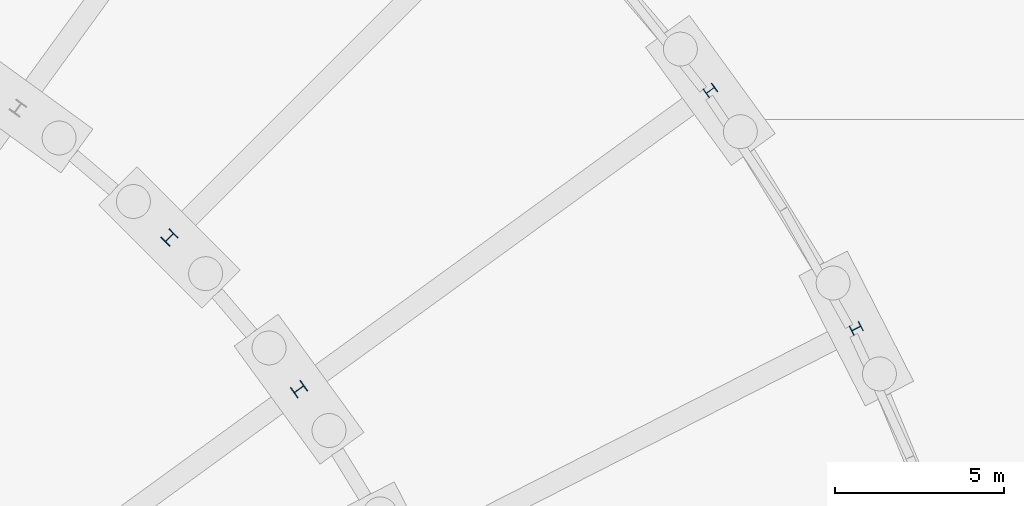
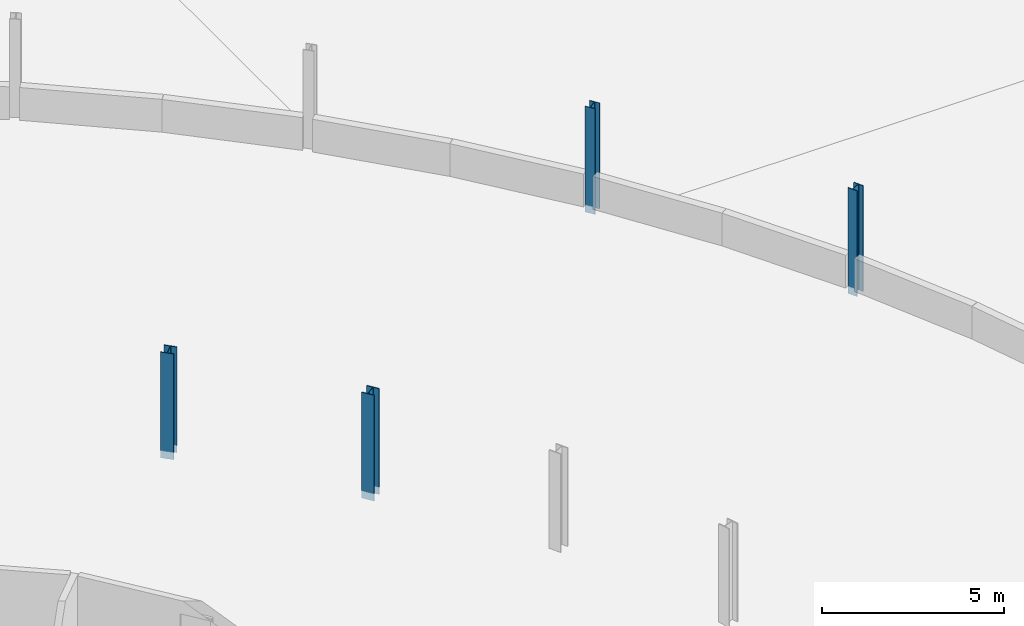
# One storey, part 36 of 130: 4 columns.
"""IFC4 building model written with IfcOpenShell, lengths in metres."""

import ifcopenshell
import ifcopenshell.guid

model = None  # the IFC model being written
_history = None  # IfcOwnerHistory: only IFC2X3 demands one
_inside = {}  # id of a spatial element -> (the spatial element, [elements in it])
_under = {}  # id of a project, library or spatial element -> (it, [spatial elements below it])
_declared = {}  # id of a project -> (the project, [libraries it declares])
_typed = {}  # id of a type object -> (the type object, [elements of that type])
_made_of = {}  # id of a material, layer set ... -> (it, [elements and type objects made of it])


def new_model(schema):
    """Start an empty IFC model of exactly this schema.

    Asked for "IFC4X3", IfcOpenShell would pick the latest addendum, in which some entities
    have other attributes; the version numbers below select the first issue.
    IFC2X3 requires an IfcOwnerHistory on every rooted entity: one is made here for all.
    """
    global model, _history
    if schema == "IFC4X3":
        model = ifcopenshell.file(schema_version=(4, 3, 0, 0))
    else:
        model = ifcopenshell.file(schema=schema)
    _inside.clear()
    _under.clear()
    _declared.clear()
    _typed.clear()
    _made_of.clear()
    _history = None
    if model.schema == "IFC2X3":
        org = make("IfcOrganization", Name="unknown")
        user = make(
            "IfcPersonAndOrganization",
            ThePerson=make("IfcPerson", FamilyName="unknown"),
            TheOrganization=org,
        )
        app = make(
            "IfcApplication",
            ApplicationDeveloper=org,
            Version="unknown",
            ApplicationFullName="unknown",
            ApplicationIdentifier="unknown",
        )
        _history = make(
            "IfcOwnerHistory",
            OwningUser=user,
            OwningApplication=app,
            ChangeAction="ADDED",
            CreationDate=0,
        )
    return model


def make(cls, **values):
    """One entity of the class cls with the attributes given. An attribute that is None is left unset."""
    return model.create_entity(
        cls, **{name: value for name, value in values.items() if value is not None}
    )


def rooted(cls, **values):
    """An entity with a GlobalId (a new one), such as an element, a storey or a relation."""
    return make(cls, GlobalId=ifcopenshell.guid.new(), OwnerHistory=_history, **values)


def si_unit(unit_type, name, prefix=None):
    """IfcSIUnit, for example si_unit("LENGTHUNIT", "METRE", prefix="MILLI")."""
    return make("IfcSIUnit", UnitType=unit_type, Prefix=prefix, Name=name)


def assignment(units):
    """IfcUnitAssignment: the units of a project."""
    return None if units is None else make("IfcUnitAssignment", Units=units)


def point(xyz):
    """IfcCartesianPoint."""
    return None if xyz is None else make("IfcCartesianPoint", Coordinates=xyz)


def direction(xyz):
    """IfcDirection."""
    return None if xyz is None else make("IfcDirection", DirectionRatios=xyz)


def frame(location, z_axis=None, x_axis=None):
    """IfcAxis2Placement3D, a coordinate frame: its origin and axes. An axis left out is left unset."""
    return make(
        "IfcAxis2Placement3D",
        Location=point(location),
        Axis=direction(z_axis),
        RefDirection=direction(x_axis),
    )


def frame_2d(location, x_axis=None):
    """IfcAxis2Placement2D, a coordinate frame in the plane: its origin and x axis."""
    return make(
        "IfcAxis2Placement2D", Location=point(location), RefDirection=direction(x_axis)
    )


def origin():
    """The frame at (0, 0, 0) with its axes left unset."""
    return frame((0.0, 0.0, 0.0))


def origin_2d():
    """The frame at (0, 0) in the plane with its x axis left unset."""
    return frame_2d((0.0, 0.0))


def place(relative_to, where):
    """IfcLocalPlacement: puts the frame where relative to a parent placement (None: the world)."""
    return make(
        "IfcLocalPlacement", PlacementRelTo=relative_to, RelativePlacement=where
    )


def context(
    kind, dimensions, precision=None, world=None, true_north=None, identifier=None
):
    """IfcGeometricRepresentationContext, for example the 3D "Model" context."""
    return make(
        "IfcGeometricRepresentationContext",
        ContextIdentifier=identifier,
        ContextType=kind,
        CoordinateSpaceDimension=dimensions,
        Precision=precision,
        WorldCoordinateSystem=world,
        TrueNorth=true_north,
    )


def subcontext(parent, identifier, kind, view, scale=None):
    """IfcGeometricRepresentationSubContext, for example "Body" below "Model"."""
    return make(
        "IfcGeometricRepresentationSubContext",
        ContextIdentifier=identifier,
        ContextType=kind,
        ParentContext=parent,
        TargetScale=scale,
        TargetView=view,
    )


def project(units=None, contexts=None):
    """IfcProject with its units and contexts."""
    return rooted(
        "IfcProject",
        Name="project",
        RepresentationContexts=contexts,
        UnitsInContext=assignment(units),
    )


def spatial(cls, under=None, at=None, **own):
    """A site, building, storey or space (cls), placed at a placement, below another one or the project."""
    s = rooted(cls, ObjectPlacement=at, **own)
    if under is not None:
        _under.setdefault(under.id(), (under, []))[1].append(s)
    return s


def profile(cls, at=None, kind="AREA", **sizes):
    """A parametric profile (cls). Its sizes go by their IFC names, for example OverallWidth=200.0."""
    return make(cls, ProfileType=kind, Position=at, **sizes)


def i_section(**sizes):
    """IfcIShapeProfileDef."""
    return profile("IfcIShapeProfileDef", **sizes)


def extrude(swept, where, along, depth):
    """IfcExtrudedAreaSolid: the profile swept, set in the frame where, extruded along a direction by depth."""
    return make(
        "IfcExtrudedAreaSolid",
        SweptArea=swept,
        Position=where,
        ExtrudedDirection=direction(along),
        Depth=depth,
    )


def shape(context_of_items, identifier, shape_type, items):
    """IfcShapeRepresentation: the items that make up one representation, for example the "Body"."""
    return make(
        "IfcShapeRepresentation",
        ContextOfItems=context_of_items,
        RepresentationIdentifier=identifier,
        RepresentationType=shape_type,
        Items=items,
    )


def material(Name=None, Category=None):
    """IfcMaterial."""
    return make("IfcMaterial", Name=Name, Category=Category)


def material_profile(
    of_material, cross_section, Name=None, Category=None, Priority=None
):
    """IfcMaterialProfile: a cross section and its material."""
    return make(
        "IfcMaterialProfile",
        Name=Name,
        Material=of_material,
        Profile=cross_section,
        Priority=Priority,
        Category=Category,
    )


def profile_set(profiles, Name=None, composite=None):
    """IfcMaterialProfileSet."""
    return make(
        "IfcMaterialProfileSet",
        Name=Name,
        MaterialProfiles=profiles,
        CompositeProfile=composite,
    )


def made_of(thing, what):
    """Note that an element or type object is made of a material, layer set ...; save() writes the relation."""
    if what is not None:
        _made_of.setdefault(what.id(), (what, []))[1].append(thing)
    return thing


def type_object(cls, material=None, **own):
    """A type object (cls), such as IfcWallType, which elements share."""
    return made_of(rooted(cls, **own), material)


def element(
    cls,
    number,
    at=None,
    inside=None,
    cuts=None,
    type_object=None,
    material=None,
    context=None,
    identifier="Body",
    shape_type=None,
    held_by="IfcProductDefinitionShape",
    body=None,
    shapes=None,
    **own,
):
    """One element of the class cls, such as IfcWall. Its Tag is "e" and its number.

    at: its placement. inside: the storey or other place that contains it. cuts: it is an
    opening in that element (IfcRelVoidsElement). A single representation is given by context,
    identifier, shape_type and body (its items); several are given by shapes. held_by: the class
    of the entity that holds the representations. save() writes the other relations.
    """
    e = rooted(cls, Tag="e%d" % number, ObjectPlacement=at, **own)
    if body is not None:
        shapes = [shape(context, identifier, shape_type, body)]
    if shapes is not None:
        e.Representation = make(held_by, Representations=shapes)
    if inside is not None:
        _inside.setdefault(inside.id(), (inside, []))[1].append(e)
    if cuts is not None:
        rooted(
            "IfcRelVoidsElement", RelatingBuildingElement=cuts, RelatedOpeningElement=e
        )
    if type_object is not None:
        _typed.setdefault(type_object.id(), (type_object, []))[1].append(e)
    return made_of(e, material)


def aggregate(whole, parts):
    """IfcRelAggregates: a whole, such as a stair, and the parts it consists of."""
    return rooted("IfcRelAggregates", RelatingObject=whole, RelatedObjects=parts)


def save(model, path):
    """Write the relations noted so far, then the file.

    IfcRelAggregates (storeys below a building ...), IfcRelContainedInSpatialStructure (elements
    in a storey), IfcRelDefinesByType, IfcRelAssociatesMaterial and IfcRelDeclares: one each for
    every whole, place, type object, material and project.
    """
    for whole, parts in _under.values():
        aggregate(whole, parts)
    for where, things in _inside.values():
        rooted(
            "IfcRelContainedInSpatialStructure",
            RelatedElements=things,
            RelatingStructure=where,
        )
    for kind, things in _typed.values():
        rooted("IfcRelDefinesByType", RelatedObjects=things, RelatingType=kind)
    for what, things in _made_of.values():
        rooted("IfcRelAssociatesMaterial", RelatedObjects=things, RelatingMaterial=what)
    for by, libraries in _declared.values():
        rooted("IfcRelDeclares", RelatingContext=by, RelatedDefinitions=libraries)
    model.write(path)


model = new_model("IFC4")

# Units and contexts
model_context = context("Model", 3, precision=1e-05, world=origin(), true_north=direction((0.0, 1.0)))
body_context = subcontext(model_context, "Body", "Model", "MODEL_VIEW")
ifc_project = project(units=[si_unit("LENGTHUNIT", "METRE"), si_unit("AREAUNIT", "SQUARE_METRE"), si_unit("VOLUMEUNIT", "CUBIC_METRE"), si_unit("PLANEANGLEUNIT", "RADIAN"), si_unit("MASSUNIT", "GRAM", prefix="KILO")], contexts=[model_context])

# Site, building, storey
site_placement = place(None, origin())
site = spatial("IfcSite", under=ifc_project, at=site_placement, CompositionType="ELEMENT")
building_placement = place(site_placement, origin())
building = spatial("IfcBuilding", under=site, at=building_placement, Name="Parallax Yard Mobility Hub", CompositionType="ELEMENT")
storey_placement = place(building_placement, origin())
storey = spatial("IfcBuildingStorey", under=building, at=storey_placement, Name="L00", CompositionType="ELEMENT", Elevation=0.0)

# Columns
ifc_material = material(Name="Steel ASTM A992", Category="steel")
ifc_material_profile_1 = material_profile(ifc_material, i_section(OverallWidth=0.306884765625, OverallDepth=0.318115234375, WebThickness=0.01318359375, FlangeThickness=0.0205078125, FilletRadius=0.01513671875, at=origin_2d()), Name="W310x129")
ifc_profile_set_1 = profile_set([ifc_material_profile_1], Name="Steel ASTM A992")
column_type_1 = type_object("IfcColumnType", Name="W310x129 column", PredefinedType="COLUMN", material=ifc_profile_set_1)
for number, where, z_axis, x_axis, name in (
    (1, (214.973388671875, 120.858642578125, -0.25), (0.0, 0.0, 1.0), (-0.587785252292, 0.809016994375, 0.0), "Column C3 level L00 at RC/R6 of ramped parking decks"),
    (2, (219.27783203125, 113.83447265625, -0.25), (0.0, 0.0, 1.0), (-0.45399049974, 0.891006524188, 0.0), "Column C3 level L00 at RC/R7 of ramped parking decks"),
):
    element("IfcColumn", number, at=place(storey_placement, frame(where, z_axis=z_axis, x_axis=x_axis)), inside=storey, type_object=column_type_1, Name=name, PredefinedType="COLUMN", context=body_context, shape_type="SweptSolid", body=[
        extrude(i_section(OverallWidth=0.306884765625, OverallDepth=0.318115234375, WebThickness=0.01318359375, FlangeThickness=0.0205078125, FilletRadius=0.01513671875, at=origin_2d()), origin(), (0.0, 0.0, 1.0), 3.550048828125),
    ])
ifc_material_profile_2 = material_profile(ifc_material, i_section(OverallWidth=0.373046875, OverallDepth=0.373046875, WebThickness=0.016357421875, FlangeThickness=0.026123046875, FilletRadius=0.01513671875, at=origin_2d()), Name="W360x196")
ifc_profile_set_2 = profile_set([ifc_material_profile_2], Name="Steel ASTM A992")
column_type_2 = type_object("IfcColumnType", Name="W360x196 column", PredefinedType="COLUMN", material=ifc_profile_set_2)
for number, where, z_axis, x_axis, name in (
    (3, (199.0166015625, 116.5166015625, -0.25), (0.0, 0.0, 1.0), (-0.707106781187, 0.707106781187, 0.0), "Column C8 level L00 at RB/R5 of ramped parking decks"),
    (4, (202.838134765625, 112.0419921875, -0.25), (0.0, 0.0, 1.0), (-0.587785252292, 0.809016994375, 0.0), "Column C8 level L00 at RB/R6 of ramped parking decks"),
):
    element("IfcColumn", number, at=place(storey_placement, frame(where, z_axis=z_axis, x_axis=x_axis)), inside=storey, type_object=column_type_2, Name=name, PredefinedType="COLUMN", context=body_context, shape_type="SweptSolid", body=[
        extrude(i_section(OverallWidth=0.373046875, OverallDepth=0.373046875, WebThickness=0.016357421875, FlangeThickness=0.026123046875, FilletRadius=0.01513671875, at=origin_2d()), origin(), (0.0, 0.0, 1.0), 3.550048828125),
    ])

save(model, "model.ifc")
